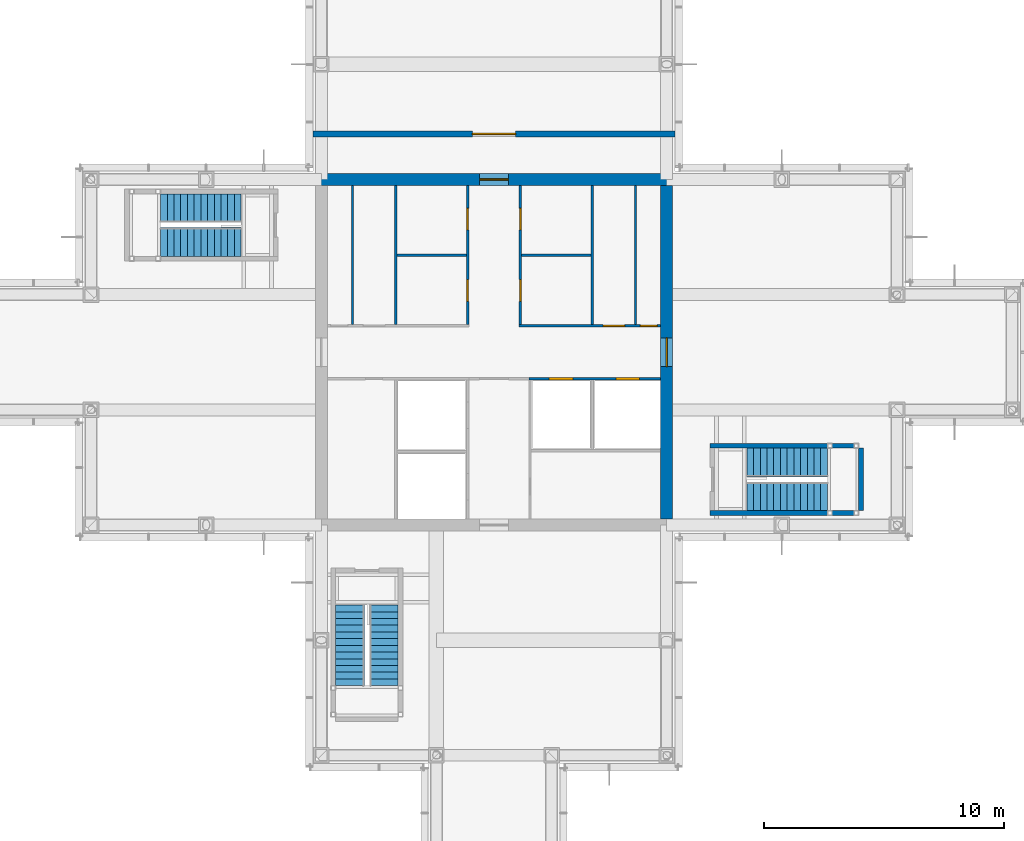
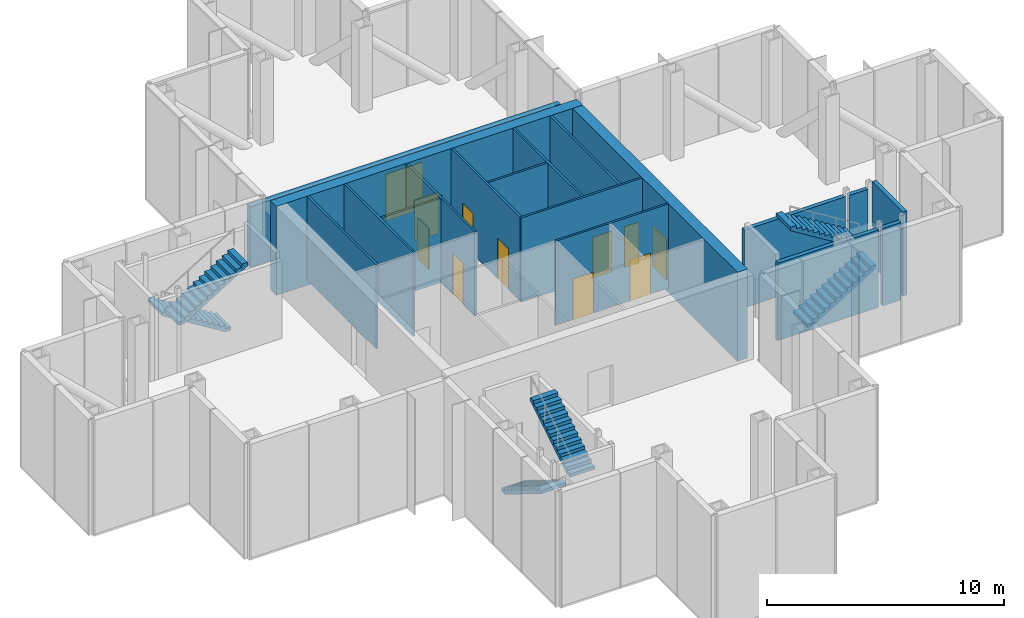
# One storey, part 12 of 13: 18 walls, 11 doors, 6 stair flights, 11 openings, 3 elements without a shape of their own.
"""IFC4 building model written with IfcOpenShell, lengths in metres."""

from ifc_helpers import new_model, si_unit, direction, frame, frame_2d, origin, place, context, subcontext, project, spatial, polyline, rectangle, outline, extrude, material, layer, layer_set, type_object, element, fill, aggregate, save


model = new_model("IFC4")

# Units and contexts
model_context = context("Model", 3, precision=1e-05, world=origin(), true_north=direction((0.0, 1.0)))
body_context = subcontext(model_context, "Body", "Model", "MODEL_VIEW")
ifc_project = project(units=[si_unit("LENGTHUNIT", "METRE"), si_unit("AREAUNIT", "SQUARE_METRE"), si_unit("VOLUMEUNIT", "CUBIC_METRE"), si_unit("PLANEANGLEUNIT", "RADIAN"), si_unit("MASSUNIT", "GRAM", prefix="KILO")], contexts=[model_context])

# Site, building, storey
site_placement = place(None, origin())
site = spatial("IfcSite", under=ifc_project, at=site_placement, CompositionType="ELEMENT")
building_placement = place(site_placement, origin())
building = spatial("IfcBuilding", under=site, at=building_placement, Name="Kvirike Care Tower", CompositionType="ELEMENT")
storey_placement = place(building_placement, frame((0.0, 0.0, 190.0)))
storey = spatial("IfcBuildingStorey", under=building, at=storey_placement, Name="L52", CompositionType="ELEMENT", Elevation=190.0)

# Wall, opening, door
ifc_material_1 = material(Name="Concrete C45/55", Category="concrete")
ifc_layer_1 = layer(ifc_material_1, 0.5)
ifc_layer_set_1 = layer_set([ifc_layer_1], Name="CORE WALL 500 C45-55")
wall_type_1 = type_object("IfcWallType", Name="CORE WALL 500 C45-55", PredefinedType="SHEAR", material=ifc_layer_set_1)
wall_1_placement = place(storey_placement, frame((29.050048828125, 43.199951171875, -0.25), z_axis=(0.0, 0.0, 1.0), x_axis=(-1.0, 0.0, 0.0)))
wall_1 = element("IfcWall", 1, at=wall_1_placement, inside=storey, type_object=wall_type_1, Name="Core wall N L52", PredefinedType="SHEAR", context=body_context, shape_type="SweptSolid", body=[
    extrude(rectangle(XDim=14.900146484375, YDim=0.5, at=frame_2d((7.4501953125, 0.0))), origin(), (0.0, 0.0, 1.0), 4.580078125),
])
opening_1_placement = place(wall_1_placement, frame((6.85009765625, 0.0, 0.25)))
opening_1 = element("IfcOpeningElement", 2, at=opening_1_placement, cuts=wall_1, Name="Opening 52-023", PredefinedType="OPENING", context=body_context, shape_type="SweptSolid", body=[
    extrude(rectangle(XDim=1.199951171875, YDim=2.10009765625, at=frame_2d((0.60009765625, 1.050048828125))), frame((0.0, 0.260498046875, 0.0), z_axis=(0.0, -1.0, 0.0), x_axis=(1.0, 0.0, 0.0)), (0.0, 0.0, 1.0), 0.52099609375),
])
ifc_material_2 = material(Name="Timber door set", Category="wood")
door_type_1 = type_object("IfcDoorType", Name="CORE DOOR 1200", OperationType="SINGLE_SWING_LEFT", PredefinedType="DOOR", material=ifc_material_2)
door_1_placement = place(opening_1_placement, origin())
door_1 = element("IfcDoor", 3, at=door_1_placement, inside=storey, type_object=door_type_1, Name="Core door N L52", OperationType="SINGLE_SWING_LEFT", OverallHeight=2.10009765625, OverallWidth=1.199951171875, PredefinedType="DOOR", context=body_context, shape_type="SweptSolid", body=[
    extrude(rectangle(XDim=1.199951171875, YDim=2.10009765625, at=frame_2d((0.60009765625, 1.050048828125))), frame((0.0, 0.02685546875, 0.0), z_axis=(0.0, -1.0, 0.0), x_axis=(1.0, 0.0, 0.0)), (0.0, 0.0, 1.0), 0.053955078125),
])
fill(opening_1, door_1)

wall_2_placement = place(storey_placement, frame((28.800048828125, 29.050048828125, -0.25), z_axis=(0.0, 0.0, 1.0), x_axis=(0.0, 1.0, 0.0)))
wall_2 = element("IfcWall", 4, at=wall_2_placement, inside=storey, type_object=wall_type_1, Name="Core wall E L52", PredefinedType="SHEAR", context=body_context, shape_type="SweptSolid", body=[
    extrude(rectangle(XDim=13.89990234375, YDim=0.5, at=frame_2d((6.949951171875, 0.0))), origin(), (0.0, 0.0, 1.0), 4.580078125),
])
opening_2_placement = place(wall_2_placement, frame((6.35009765625, 0.0, 0.25)))
opening_2 = element("IfcOpeningElement", 5, at=opening_2_placement, cuts=wall_2, Name="Opening 52-022", PredefinedType="OPENING", context=body_context, shape_type="SweptSolid", body=[
    extrude(rectangle(XDim=1.199951171875, YDim=2.10009765625, at=frame_2d((0.60009765625, 1.050048828125))), frame((0.0, 0.260498046875, 0.0), z_axis=(0.0, -1.0, 0.0), x_axis=(1.0, 0.0, 0.0)), (0.0, 0.0, 1.0), 0.52099609375),
])
door_2_placement = place(opening_2_placement, origin())
door_2 = element("IfcDoor", 6, at=door_2_placement, inside=storey, type_object=door_type_1, Name="Core door E L52", OperationType="SINGLE_SWING_LEFT", OverallHeight=2.10009765625, OverallWidth=1.199951171875, PredefinedType="DOOR", context=body_context, shape_type="SweptSolid", body=[
    extrude(rectangle(XDim=1.199951171875, YDim=2.10009765625, at=frame_2d((0.60009765625, 1.050048828125))), frame((0.0, 0.02685546875, 0.0), z_axis=(0.0, -1.0, 0.0), x_axis=(1.0, 0.0, 0.0)), (0.0, 0.0, 1.0), 0.053955078125),
])
fill(opening_2, door_2)

ifc_material_3 = material(Name="Concrete blockwork", Category="masonry")
ifc_layer_2 = layer(ifc_material_3, 0.25)
ifc_layer_set_2 = layer_set([ifc_layer_2], Name="PLANT ROOM WALL 250")
wall_type_2 = type_object("IfcWallType", Name="PLANT ROOM WALL 250", PredefinedType="SOLIDWALL", material=ifc_layer_set_2)
wall_3_placement = place(storey_placement, frame((29.14990234375, 45.10009765625, 0.0), z_axis=(0.0, 0.0, 1.0), x_axis=(-1.0, 0.0, 0.0)))
wall_3 = element("IfcWall", 7, at=wall_3_placement, inside=storey, type_object=wall_type_2, Name="Plant Room Wall 250 L52", PredefinedType="SOLIDWALL", context=body_context, shape_type="SweptSolid", body=[
    extrude(rectangle(XDim=15.099853515625, YDim=0.25, at=frame_2d((7.5498046875, 0.0))), origin(), (0.0, 0.0, 1.0), 3.1201171875),
])
opening_3_placement = place(wall_3_placement, frame((6.64990234375, 0.0, 0.0)))
opening_3 = element("IfcOpeningElement", 8, at=opening_3_placement, cuts=wall_3, Name="Opening 52-003", PredefinedType="OPENING", context=body_context, shape_type="SweptSolid", body=[
    extrude(rectangle(XDim=1.800048828125, YDim=2.39990234375, at=frame_2d((0.89990234375, 1.199951171875))), frame((0.0, 0.135498046875, 0.0), z_axis=(0.0, -1.0, 0.0), x_axis=(1.0, 0.0, 0.0)), (0.0, 0.0, 1.0), 0.27099609375),
])
ifc_material_4 = material(Name="Timber door set", Category="wood")
door_type_2 = type_object("IfcDoorType", Name="PLANT ROOM DOOR 1800", OperationType="DOUBLE_DOOR_SINGLE_SWING", PredefinedType="DOOR", material=ifc_material_4)
door_3_placement = place(opening_3_placement, frame((1.800048828125, 0.0, 0.0), z_axis=(0.0, 0.0, 1.0), x_axis=(-1.0, 0.0, 0.0)))
door_3 = element("IfcDoor", 9, at=door_3_placement, inside=storey, type_object=door_type_2, Name="Electrical plant room door", OperationType="DOUBLE_DOOR_SINGLE_SWING", OverallHeight=2.39990234375, OverallWidth=1.800048828125, PredefinedType="DOOR", context=body_context, shape_type="SweptSolid", body=[
    extrude(rectangle(XDim=1.800048828125, YDim=2.39990234375, at=frame_2d((0.89990234375, 1.199951171875))), frame((0.0, 0.031982421875, 0.0), z_axis=(0.0, -1.0, 0.0), x_axis=(1.0, 0.0, 0.0)), (0.0, 0.0, 1.0), 0.06396484375),
])
fill(opening_3, door_3)

# Walls
ifc_material_5 = material(Name="Gypsum shaft wall system", Category="gypsum")
ifc_layer_3 = layer(ifc_material_5, 0.10009765625)
ifc_layer_set_3 = layer_set([ifc_layer_3], Name="SHAFT WALL 100")
wall_type_3 = type_object("IfcWallType", Name="SHAFT WALL 100", PredefinedType="SOLIDWALL", material=ifc_layer_set_3)
for number, where, z_axis, x_axis, name in (
    (10, (15.699951171875, 37.14990234375, 0.0), (0.0, 0.0, 1.0), (0.0, 1.0, 0.0), "Shaft Wall 100 L52"),
    (11, (27.5, 37.14990234375, 0.0), (0.0, 0.0, 1.0), (0.0, 1.0, 0.0), "Shaft Wall 100 L52"),
):
    element("IfcWall", number, at=place(storey_placement, frame(where, z_axis=z_axis, x_axis=x_axis)), inside=storey, type_object=wall_type_3, Name=name, PredefinedType="SOLIDWALL", context=body_context, shape_type="SweptSolid", body=[
        extrude(rectangle(XDim=5.800048828125, YDim=0.10009765625, at=frame_2d((2.89990234375, 0.0))), origin(), (0.0, 0.0, 1.0), 4.330078125),
    ])

# Wall, openings, doors
wall_4_placement = place(storey_placement, frame((20.5, 37.14990234375, 0.0), z_axis=(0.0, 0.0, 1.0), x_axis=(0.0, 1.0, 0.0)))
wall_4 = element("IfcWall", 12, at=wall_4_placement, inside=storey, type_object=wall_type_3, Name="Shaft Wall 100 L52", PredefinedType="SOLIDWALL", context=body_context, shape_type="SweptSolid", body=[
    extrude(rectangle(XDim=5.800048828125, YDim=0.10009765625, at=frame_2d((2.89990234375, 0.0))), origin(), (0.0, 0.0, 1.0), 4.330078125),
])
opening_4_placement = place(wall_4_placement, frame((0.97509765625, 0.0, 0.0)))
opening_4 = element("IfcOpeningElement", 13, at=opening_4_placement, cuts=wall_4, Name="Opening 52-007", PredefinedType="OPENING", context=body_context, shape_type="SweptSolid", body=[
    extrude(rectangle(XDim=0.89990234375, YDim=2.10009765625, at=frame_2d((0.449951171875, 1.050048828125))), frame((0.0, 0.060546875, 0.0), z_axis=(0.0, -1.0, 0.0), x_axis=(1.0, 0.0, 0.0)), (0.0, 0.0, 1.0), 0.12109375),
])
opening_5_placement = place(wall_4_placement, frame((3.949951171875, 0.0, 0.0)))
opening_5 = element("IfcOpeningElement", 14, at=opening_5_placement, cuts=wall_4, Name="Opening 52-008", PredefinedType="OPENING", context=body_context, shape_type="SweptSolid", body=[
    extrude(rectangle(XDim=0.89990234375, YDim=2.10009765625, at=frame_2d((0.449951171875, 1.050048828125))), frame((0.0, 0.060546875, 0.0), z_axis=(0.0, -1.0, 0.0), x_axis=(1.0, 0.0, 0.0)), (0.0, 0.0, 1.0), 0.12109375),
])
ifc_material_6 = material(Name="Timber door set", Category="wood")
door_type_3 = type_object("IfcDoorType", Name="STORE DOOR 900", OperationType="SINGLE_SWING_LEFT", PredefinedType="DOOR", material=ifc_material_6)
door_4_placement = place(opening_4_placement, origin())
door_4 = element("IfcDoor", 15, at=door_4_placement, inside=storey, type_object=door_type_3, Name="Staff room door", OperationType="SINGLE_SWING_RIGHT", OverallHeight=2.10009765625, OverallWidth=0.89990234375, PredefinedType="DOOR", context=body_context, shape_type="SweptSolid", body=[
    extrude(rectangle(XDim=0.89990234375, YDim=2.10009765625, at=frame_2d((0.449951171875, 1.050048828125))), frame((0.0, 0.02685546875, 0.0), z_axis=(0.0, -1.0, 0.0), x_axis=(1.0, 0.0, 0.0)), (0.0, 0.0, 1.0), 0.053955078125),
])
fill(opening_4, door_4)
door_5_placement = place(opening_5_placement, origin())
door_5 = element("IfcDoor", 16, at=door_5_placement, inside=storey, type_object=door_type_3, Name="Store door", OperationType="SINGLE_SWING_RIGHT", OverallHeight=2.10009765625, OverallWidth=0.89990234375, PredefinedType="DOOR", context=body_context, shape_type="SweptSolid", body=[
    extrude(rectangle(XDim=0.89990234375, YDim=2.10009765625, at=frame_2d((0.449951171875, 1.050048828125))), frame((0.0, 0.02685546875, 0.0), z_axis=(0.0, -1.0, 0.0), x_axis=(1.0, 0.0, 0.0)), (0.0, 0.0, 1.0), 0.053955078125),
])
fill(opening_5, door_5)

wall_5_placement = place(storey_placement, frame((22.699951171875, 37.14990234375, 0.0), z_axis=(0.0, 0.0, 1.0), x_axis=(0.0, 1.0, 0.0)))
wall_5 = element("IfcWall", 17, at=wall_5_placement, inside=storey, type_object=wall_type_3, Name="Shaft Wall 100 L52", PredefinedType="SOLIDWALL", context=body_context, shape_type="SweptSolid", body=[
    extrude(rectangle(XDim=5.800048828125, YDim=0.10009765625, at=frame_2d((2.89990234375, 0.0))), origin(), (0.0, 0.0, 1.0), 4.330078125),
])
opening_6_placement = place(wall_5_placement, frame((0.97509765625, 0.0, 0.0)))
opening_6 = element("IfcOpeningElement", 18, at=opening_6_placement, cuts=wall_5, Name="Opening 52-009", PredefinedType="OPENING", context=body_context, shape_type="SweptSolid", body=[
    extrude(rectangle(XDim=0.89990234375, YDim=2.10009765625, at=frame_2d((0.449951171875, 1.050048828125))), frame((0.0, 0.060546875, 0.0), z_axis=(0.0, -1.0, 0.0), x_axis=(1.0, 0.0, 0.0)), (0.0, 0.0, 1.0), 0.12109375),
])
opening_7_placement = place(wall_5_placement, frame((3.949951171875, 0.0, 0.0)))
opening_7 = element("IfcOpeningElement", 19, at=opening_7_placement, cuts=wall_5, Name="Opening 52-010", PredefinedType="OPENING", context=body_context, shape_type="SweptSolid", body=[
    extrude(rectangle(XDim=0.89990234375, YDim=2.10009765625, at=frame_2d((0.449951171875, 1.050048828125))), frame((0.0, 0.060546875, 0.0), z_axis=(0.0, -1.0, 0.0), x_axis=(1.0, 0.0, 0.0)), (0.0, 0.0, 1.0), 0.12109375),
])
door_6_placement = place(opening_6_placement, frame((0.89990234375, 0.0, 0.0), z_axis=(0.0, 0.0, 1.0), x_axis=(-1.0, 0.0, 0.0)))
door_6 = element("IfcDoor", 20, at=door_6_placement, inside=storey, type_object=door_type_3, Name="Records store door", OperationType="SINGLE_SWING_RIGHT", OverallHeight=2.10009765625, OverallWidth=0.89990234375, PredefinedType="DOOR", context=body_context, shape_type="SweptSolid", body=[
    extrude(rectangle(XDim=0.89990234375, YDim=2.10009765625, at=frame_2d((0.449951171875, 1.050048828125))), frame((0.0, 0.02685546875, 0.0), z_axis=(0.0, -1.0, 0.0), x_axis=(1.0, 0.0, 0.0)), (0.0, 0.0, 1.0), 0.053955078125),
])
fill(opening_6, door_6)
door_7_placement = place(opening_7_placement, frame((0.89990234375, 0.0, 0.0), z_axis=(0.0, 0.0, 1.0), x_axis=(-1.0, 0.0, 0.0)))
door_7 = element("IfcDoor", 21, at=door_7_placement, inside=storey, type_object=door_type_3, Name="IT room door", OperationType="SINGLE_SWING_RIGHT", OverallHeight=2.10009765625, OverallWidth=0.89990234375, PredefinedType="DOOR", context=body_context, shape_type="SweptSolid", body=[
    extrude(rectangle(XDim=0.89990234375, YDim=2.10009765625, at=frame_2d((0.449951171875, 1.050048828125))), frame((0.0, 0.02685546875, 0.0), z_axis=(0.0, -1.0, 0.0), x_axis=(1.0, 0.0, 0.0)), (0.0, 0.0, 1.0), 0.053955078125),
])
fill(opening_7, door_7)

wall_6_placement = place(storey_placement, frame((23.050048828125, 34.89990234375, 0.0), z_axis=(0.0, 0.0, 1.0), x_axis=(1.0, 0.0, 0.0)))
wall_6 = element("IfcWall", 22, at=wall_6_placement, inside=storey, type_object=wall_type_3, Name="Shaft Wall 100 L52", PredefinedType="SOLIDWALL", context=body_context, shape_type="SweptSolid", body=[
    extrude(rectangle(XDim=5.5, YDim=0.10009765625, at=frame_2d((2.75, 0.0))), origin(), (0.0, 0.0, 1.0), 4.330078125),
])
opening_8_placement = place(wall_6_placement, frame((0.85009765625, 0.0, 0.0)))
opening_8 = element("IfcOpeningElement", 23, at=opening_8_placement, cuts=wall_6, Name="Opening 52-013", PredefinedType="OPENING", context=body_context, shape_type="SweptSolid", body=[
    extrude(rectangle(XDim=1.0, YDim=2.10009765625, at=frame_2d((0.5, 1.050048828125))), frame((0.0, 0.060546875, 0.0), z_axis=(0.0, -1.0, 0.0), x_axis=(1.0, 0.0, 0.0)), (0.0, 0.0, 1.0), 0.12109375),
])
opening_9_placement = place(wall_6_placement, frame((3.625, 0.0, 0.0)))
opening_9 = element("IfcOpeningElement", 24, at=opening_9_placement, cuts=wall_6, Name="Opening 52-014", PredefinedType="OPENING", context=body_context, shape_type="SweptSolid", body=[
    extrude(rectangle(XDim=1.0, YDim=2.10009765625, at=frame_2d((0.5, 1.050048828125))), frame((0.0, 0.060546875, 0.0), z_axis=(0.0, -1.0, 0.0), x_axis=(1.0, 0.0, 0.0)), (0.0, 0.0, 1.0), 0.12109375),
])
ifc_material_7 = material(Name="Aluminium door frame", Category="aluminium")
door_type_4 = type_object("IfcDoorType", Name="LIFT LANDING DOOR 1000", OperationType="SLIDING_TO_LEFT", PredefinedType="DOOR", material=ifc_material_7)
door_8_placement = place(opening_8_placement, origin())
door_8 = element("IfcDoor", 25, at=door_8_placement, inside=storey, type_object=door_type_4, Name="Lift P5 landing door", OperationType="SLIDING_TO_LEFT", OverallHeight=2.10009765625, OverallWidth=1.0, PredefinedType="DOOR", context=body_context, shape_type="SweptSolid", body=[
    extrude(rectangle(XDim=1.0, YDim=2.10009765625, at=frame_2d((0.5, 1.050048828125))), frame((0.0, 0.0498046875, 0.0), z_axis=(0.0, -1.0, 0.0), x_axis=(1.0, 0.0, 0.0)), (0.0, 0.0, 1.0), 0.099609375),
])
fill(opening_8, door_8)
door_9_placement = place(opening_9_placement, origin())
door_9 = element("IfcDoor", 26, at=door_9_placement, inside=storey, type_object=door_type_4, Name="Lift P6 landing door", OperationType="SLIDING_TO_LEFT", OverallHeight=2.10009765625, OverallWidth=1.0, PredefinedType="DOOR", context=body_context, shape_type="SweptSolid", body=[
    extrude(rectangle(XDim=1.0, YDim=2.10009765625, at=frame_2d((0.5, 1.050048828125))), frame((0.0, 0.0498046875, 0.0), z_axis=(0.0, -1.0, 0.0), x_axis=(1.0, 0.0, 0.0)), (0.0, 0.0, 1.0), 0.099609375),
])
fill(opening_9, door_9)

wall_7_placement = place(storey_placement, frame((22.64990234375, 37.10009765625, 0.0), z_axis=(0.0, 0.0, 1.0), x_axis=(1.0, 0.0, 0.0)))
wall_7 = element("IfcWall", 27, at=wall_7_placement, inside=storey, type_object=wall_type_3, Name="Shaft Wall 100 L52", PredefinedType="SOLIDWALL", context=body_context, shape_type="SweptSolid", body=[
    extrude(rectangle(XDim=5.900146484375, YDim=0.10009765625, at=frame_2d((2.9501953125, 0.0))), origin(), (0.0, 0.0, 1.0), 4.330078125),
])
opening_10_placement = place(wall_7_placement, frame((3.5, 0.0, 0.0)))
opening_10 = element("IfcOpeningElement", 28, at=opening_10_placement, cuts=wall_7, Name="Opening 52-017", PredefinedType="OPENING", context=body_context, shape_type="SweptSolid", body=[
    extrude(rectangle(XDim=0.89990234375, YDim=2.10009765625, at=frame_2d((0.449951171875, 1.050048828125))), frame((0.0, 0.060546875, 0.0), z_axis=(0.0, -1.0, 0.0), x_axis=(1.0, 0.0, 0.0)), (0.0, 0.0, 1.0), 0.12109375),
])
opening_11_placement = place(wall_7_placement, frame((5.050048828125, 0.0, 0.0)))
opening_11 = element("IfcOpeningElement", 29, at=opening_11_placement, cuts=wall_7, Name="Opening 52-018", PredefinedType="OPENING", context=body_context, shape_type="SweptSolid", body=[
    extrude(rectangle(XDim=0.699951171875, YDim=2.10009765625, at=frame_2d((0.35009765625, 1.050048828125))), frame((0.0, 0.060546875, 0.0), z_axis=(0.0, -1.0, 0.0), x_axis=(1.0, 0.0, 0.0)), (0.0, 0.0, 1.0), 0.12109375),
])
ifc_material_8 = material(Name="Timber door set", Category="wood")
door_type_5 = type_object("IfcDoorType", Name="RISER DOOR 700", OperationType="SINGLE_SWING_LEFT", PredefinedType="DOOR", material=ifc_material_8)
door_10_placement = place(opening_11_placement, origin())
door_10 = element("IfcDoor", 30, at=door_10_placement, inside=storey, type_object=door_type_5, Name="Riser door", OperationType="SINGLE_SWING_RIGHT", OverallHeight=2.10009765625, OverallWidth=0.699951171875, PredefinedType="DOOR", context=body_context, shape_type="SweptSolid", body=[
    extrude(rectangle(XDim=0.699951171875, YDim=2.10009765625, at=frame_2d((0.35009765625, 1.050048828125))), frame((0.0, 0.02685546875, 0.0), z_axis=(0.0, -1.0, 0.0), x_axis=(1.0, 0.0, 0.0)), (0.0, 0.0, 1.0), 0.053955078125),
])
fill(opening_11, door_10)
door_11_placement = place(opening_10_placement, origin())
door_11 = element("IfcDoor", 31, at=door_11_placement, inside=storey, type_object=door_type_3, Name="IT room door", OperationType="SINGLE_SWING_LEFT", OverallHeight=2.10009765625, OverallWidth=0.89990234375, PredefinedType="DOOR", context=body_context, shape_type="SweptSolid", body=[
    extrude(rectangle(XDim=0.89990234375, YDim=2.10009765625, at=frame_2d((0.449951171875, 1.050048828125))), frame((0.0, 0.02685546875, 0.0), z_axis=(0.0, -1.0, 0.0), x_axis=(1.0, 0.0, 0.0)), (0.0, 0.0, 1.0), 0.053955078125),
])
fill(opening_10, door_11)

# Walls
wall_8_placement = place(storey_placement, frame((17.5, 37.14990234375, 0.0), z_axis=(0.0, 0.0, 1.0), x_axis=(0.0, 1.0, 0.0)))
element("IfcWall", 32, at=wall_8_placement, inside=storey, type_object=wall_type_3, Name="Shaft Wall 100 L52", PredefinedType="SOLIDWALL", context=body_context, shape_type="SweptSolid", body=[
    extrude(rectangle(XDim=5.800048828125, YDim=0.10009765625, at=frame_2d((2.89990234375, 0.0))), origin(), (0.0, 0.0, 1.0), 4.330078125),
])
for number, where, z_axis, x_axis, name in (
    (33, (17.550048828125, 40.050048828125, 0.0), (0.0, 0.0, 1.0), (1.0, 0.0, 0.0), "Shaft Wall 100 L52"),
    (34, (22.75, 40.050048828125, 0.0), (0.0, 0.0, 1.0), (1.0, 0.0, 0.0), "Shaft Wall 100 L52"),
):
    element("IfcWall", number, at=place(storey_placement, frame(where, z_axis=z_axis, x_axis=x_axis)), inside=storey, type_object=wall_type_3, Name=name, PredefinedType="SOLIDWALL", context=body_context, shape_type="SweptSolid", body=[
        extrude(rectangle(XDim=2.89990234375, YDim=0.10009765625, at=frame_2d((1.449951171875, 0.0))), origin(), (0.0, 0.0, 1.0), 4.330078125),
    ])
wall_9_placement = place(storey_placement, frame((25.699951171875, 37.14990234375, 0.0), z_axis=(0.0, 0.0, 1.0), x_axis=(0.0, 1.0, 0.0)))
element("IfcWall", 35, at=wall_9_placement, inside=storey, type_object=wall_type_3, Name="Shaft Wall 100 L52", PredefinedType="SOLIDWALL", context=body_context, shape_type="SweptSolid", body=[
    extrude(rectangle(XDim=5.800048828125, YDim=0.10009765625, at=frame_2d((2.89990234375, 0.0))), origin(), (0.0, 0.0, 1.0), 4.330078125),
])
ifc_material_9 = material(Name="Concrete C40/50", Category="concrete")
ifc_layer_4 = layer(ifc_material_9, 0.199951171875)
ifc_layer_set_4 = layer_set([ifc_layer_4], Name="STAIR WALL 200")
wall_type_4 = type_object("IfcWallType", Name="STAIR WALL 200", PredefinedType="SOLIDWALL", material=ifc_layer_set_4)
wall_10_placement = place(storey_placement, frame((36.60009765625, 29.300048828125, 0.0), z_axis=(0.0, 0.0, 1.0), x_axis=(-1.0, 0.0, 0.0)))
element("IfcWall", 36, at=wall_10_placement, inside=storey, type_object=wall_type_4, Name="Stair Wall 200 L52", PredefinedType="SOLIDWALL", context=body_context, shape_type="SweptSolid", body=[
    extrude(rectangle(XDim=0.900146484375, YDim=0.199951171875, at=frame_2d((0.4501953125, 0.0))), origin(), (0.0, 0.0, 1.0), 3.989990234375),
])
wall_11_placement = place(storey_placement, frame((35.5, 29.300048828125, 0.0), z_axis=(0.0, 0.0, 1.0), x_axis=(-1.0, 0.0, 0.0)))
element("IfcWall", 37, at=wall_11_placement, inside=storey, type_object=wall_type_4, Name="Stair Wall 200 L52", PredefinedType="SOLIDWALL", context=body_context, shape_type="SweptSolid", body=[
    extrude(rectangle(XDim=4.89990234375, YDim=0.199951171875, at=frame_2d((2.449951171875, 0.0))), origin(), (0.0, 0.0, 1.0), 3.989990234375),
])
wall_12_placement = place(storey_placement, frame((36.60009765625, 32.10009765625, 0.0), z_axis=(0.0, 0.0, 1.0), x_axis=(-1.0, 0.0, 0.0)))
element("IfcWall", 38, at=wall_12_placement, inside=storey, type_object=wall_type_4, Name="Stair Wall 200 L52", PredefinedType="SOLIDWALL", context=body_context, shape_type="SweptSolid", body=[
    extrude(rectangle(XDim=0.900146484375, YDim=0.199951171875, at=frame_2d((0.4501953125, 0.0))), origin(), (0.0, 0.0, 1.0), 3.989990234375),
])
wall_13_placement = place(storey_placement, frame((35.5, 32.10009765625, 0.0), z_axis=(0.0, 0.0, 1.0), x_axis=(-1.0, 0.0, 0.0)))
element("IfcWall", 39, at=wall_13_placement, inside=storey, type_object=wall_type_4, Name="Stair Wall 200 L52", PredefinedType="SOLIDWALL", context=body_context, shape_type="SweptSolid", body=[
    extrude(rectangle(XDim=4.89990234375, YDim=0.199951171875, at=frame_2d((2.449951171875, 0.0))), origin(), (0.0, 0.0, 1.0), 3.989990234375),
])
wall_14_placement = place(storey_placement, frame((36.89990234375, 29.39990234375, 0.0), z_axis=(0.0, 0.0, 1.0), x_axis=(0.0, 1.0, 0.0)))
element("IfcWall", 40, at=wall_14_placement, inside=storey, type_object=wall_type_4, Name="Stair Wall 200 L52", PredefinedType="SOLIDWALL", context=body_context, shape_type="SweptSolid", body=[
    extrude(rectangle(XDim=2.60009765625, YDim=0.199951171875, at=frame_2d((1.300048828125, 0.0))), origin(), (0.0, 0.0, 1.0), 4.330078125),
])

# Stair, stair flights
ifc_material_10 = material(Name="Concrete C35/45", Category="concrete")
stair_type = type_object("IfcStairType", Name="STAIR 26 RISERS", PredefinedType="HALF_TURN_STAIR", material=ifc_material_10)
stair_1_placement = place(storey_placement, origin())
stair_1 = element("IfcStair", 41, at=stair_1_placement, inside=storey, type_object=stair_type, Name="Stair 1 L52", PredefinedType="HALF_TURN_STAIR")
ifc_material_11 = material(Name="Concrete C35/45", Category="concrete")
stair_flight_type = type_object("IfcStairFlightType", Name="FLIGHT 13 RISERS", PredefinedType="STRAIGHT", material=ifc_material_11)
stair_flight_1_placement = place(storey_placement, frame((11.06005859375, 42.0, 0.0), z_axis=(0.0, 0.0, 1.0), x_axis=(-1.0, 0.0, 0.0)))
stair_flight_1 = element("IfcStairFlight", 42, at=stair_flight_1_placement, type_object=stair_flight_type, Name="Stair S1 flight 1 L52-L53", NumberOfRisers=13, NumberOfTreads=12, PredefinedType="STRAIGHT", RiserHeight=0.173076923, TreadLength=0.28, context=body_context, shape_type="SweptSolid", body=[
    extrude(outline(polyline([(0.0, 0.0), (0.0, 0.173095703125), (0.280029296875, 0.173095703125), (0.280029296875, 0.34619140625), (0.56005859375, 0.34619140625), (0.56005859375, 0.519287109375), (0.840087890625, 0.519287109375), (0.840087890625, 0.6923828125), (1.1201171875, 0.6923828125), (1.1201171875, 0.865478515625), (1.39990234375, 0.865478515625), (1.39990234375, 1.03857421875), (1.679931640625, 1.03857421875), (1.679931640625, 1.21142578125), (1.9599609375, 1.21142578125), (1.9599609375, 1.384521484375), (2.239990234375, 1.384521484375), (2.239990234375, 1.5576171875), (2.52001953125, 1.5576171875), (2.52001953125, 1.730712890625), (2.800048828125, 1.730712890625), (2.800048828125, 1.90380859375), (3.080078125, 1.90380859375), (3.080078125, 2.076904296875), (3.360107421875, 2.076904296875), (3.360107421875, 2.25), (3.360107421875, 1.900634765625), (0.28515625, 0.0), (0.0, 0.0)])), frame((0.0, 0.60009765625, 0.0), z_axis=(0.0, -1.0, 0.0), x_axis=(1.0, 0.0, 0.0)), (0.0, 0.0, 1.0), 1.199951171875),
])
stair_flight_2_placement = place(storey_placement, frame((7.699951171875, 40.60009765625, 2.25), z_axis=(0.0, 0.0, 1.0), x_axis=(1.0, 0.0, 0.0)))
stair_flight_2 = element("IfcStairFlight", 43, at=stair_flight_2_placement, type_object=stair_flight_type, Name="Stair S1 flight 2 L52-L53", NumberOfRisers=13, NumberOfTreads=12, PredefinedType="STRAIGHT", RiserHeight=0.173076923, TreadLength=0.28, context=body_context, shape_type="SweptSolid", body=[
    extrude(outline(polyline([(0.0, 0.0), (0.0, 0.173095703125), (0.280029296875, 0.173095703125), (0.280029296875, 0.34619140625), (0.56005859375, 0.34619140625), (0.56005859375, 0.519287109375), (0.840087890625, 0.519287109375), (0.840087890625, 0.6923828125), (1.1201171875, 0.6923828125), (1.1201171875, 0.865478515625), (1.39990234375, 0.865478515625), (1.39990234375, 1.03857421875), (1.679931640625, 1.03857421875), (1.679931640625, 1.21142578125), (1.9599609375, 1.21142578125), (1.9599609375, 1.384521484375), (2.239990234375, 1.384521484375), (2.239990234375, 1.5576171875), (2.52001953125, 1.5576171875), (2.52001953125, 1.730712890625), (2.800048828125, 1.730712890625), (2.800048828125, 1.90380859375), (3.080078125, 1.90380859375), (3.080078125, 2.076904296875), (3.360107421875, 2.076904296875), (3.360107421875, 2.25), (3.360107421875, 1.900634765625), (0.28515625, 0.0), (0.0, 0.0)])), frame((0.0, 0.60009765625, 0.0), z_axis=(0.0, -1.0, 0.0), x_axis=(1.0, 0.0, 0.0)), (0.0, 0.0, 1.0), 1.199951171875),
])
aggregate(stair_1, [stair_flight_1, stair_flight_2])

stair_2_placement = place(storey_placement, origin())
stair_2 = element("IfcStair", 44, at=stair_2_placement, inside=storey, type_object=stair_type, Name="Stair 2 L52", PredefinedType="HALF_TURN_STAIR")
stair_flight_3_placement = place(storey_placement, frame((32.139892578125, 30.0, 0.0), z_axis=(0.0, 0.0, 1.0), x_axis=(1.0, 0.0, 0.0)))
stair_flight_3 = element("IfcStairFlight", 45, at=stair_flight_3_placement, type_object=stair_flight_type, Name="Stair S2 flight 1 L52-L53", NumberOfRisers=13, NumberOfTreads=12, PredefinedType="STRAIGHT", RiserHeight=0.173076923, TreadLength=0.28, context=body_context, shape_type="SweptSolid", body=[
    extrude(outline(polyline([(0.0, 0.0), (0.0, 0.173095703125), (0.280029296875, 0.173095703125), (0.280029296875, 0.34619140625), (0.56005859375, 0.34619140625), (0.56005859375, 0.519287109375), (0.840087890625, 0.519287109375), (0.840087890625, 0.6923828125), (1.1201171875, 0.6923828125), (1.1201171875, 0.865478515625), (1.39990234375, 0.865478515625), (1.39990234375, 1.03857421875), (1.679931640625, 1.03857421875), (1.679931640625, 1.21142578125), (1.9599609375, 1.21142578125), (1.9599609375, 1.384521484375), (2.239990234375, 1.384521484375), (2.239990234375, 1.5576171875), (2.52001953125, 1.5576171875), (2.52001953125, 1.730712890625), (2.800048828125, 1.730712890625), (2.800048828125, 1.90380859375), (3.080078125, 1.90380859375), (3.080078125, 2.076904296875), (3.360107421875, 2.076904296875), (3.360107421875, 2.25), (3.360107421875, 1.900634765625), (0.28515625, 0.0), (0.0, 0.0)])), frame((0.0, 0.60009765625, 0.0), z_axis=(0.0, -1.0, 0.0), x_axis=(1.0, 0.0, 0.0)), (0.0, 0.0, 1.0), 1.199951171875),
])
stair_flight_4_placement = place(storey_placement, frame((35.5, 31.39990234375, 2.25), z_axis=(0.0, 0.0, 1.0), x_axis=(-1.0, 0.0, 0.0)))
stair_flight_4 = element("IfcStairFlight", 46, at=stair_flight_4_placement, type_object=stair_flight_type, Name="Stair S2 flight 2 L52-L53", NumberOfRisers=13, NumberOfTreads=12, PredefinedType="STRAIGHT", RiserHeight=0.173076923, TreadLength=0.28, context=body_context, shape_type="SweptSolid", body=[
    extrude(outline(polyline([(0.0, 0.0), (0.0, 0.173095703125), (0.280029296875, 0.173095703125), (0.280029296875, 0.34619140625), (0.56005859375, 0.34619140625), (0.56005859375, 0.519287109375), (0.840087890625, 0.519287109375), (0.840087890625, 0.6923828125), (1.1201171875, 0.6923828125), (1.1201171875, 0.865478515625), (1.39990234375, 0.865478515625), (1.39990234375, 1.03857421875), (1.679931640625, 1.03857421875), (1.679931640625, 1.21142578125), (1.9599609375, 1.21142578125), (1.9599609375, 1.384521484375), (2.239990234375, 1.384521484375), (2.239990234375, 1.5576171875), (2.52001953125, 1.5576171875), (2.52001953125, 1.730712890625), (2.800048828125, 1.730712890625), (2.800048828125, 1.90380859375), (3.080078125, 1.90380859375), (3.080078125, 2.076904296875), (3.360107421875, 2.076904296875), (3.360107421875, 2.25), (3.360107421875, 1.900634765625), (0.28515625, 0.0), (0.0, 0.0)])), frame((0.0, 0.60009765625, 0.0), z_axis=(0.0, -1.0, 0.0), x_axis=(1.0, 0.0, 0.0)), (0.0, 0.0, 1.0), 1.199951171875),
])
aggregate(stair_2, [stair_flight_3, stair_flight_4])

stair_3_placement = place(storey_placement, origin())
stair_3 = element("IfcStair", 47, at=stair_3_placement, inside=storey, type_object=stair_type, Name="Stair 5 L52", PredefinedType="HALF_TURN_STAIR")
stair_flight_5_placement = place(storey_placement, frame((15.60009765625, 25.4599609375, 0.0), z_axis=(0.0, 0.0, 1.0), x_axis=(0.0, -1.0, 0.0)))
stair_flight_5 = element("IfcStairFlight", 48, at=stair_flight_5_placement, type_object=stair_flight_type, Name="Stair S5 flight 1 L52-L53", NumberOfRisers=13, NumberOfTreads=12, PredefinedType="STRAIGHT", RiserHeight=0.173076923, TreadLength=0.28, context=body_context, shape_type="SweptSolid", body=[
    extrude(outline(polyline([(0.0, 0.0), (0.0, 0.173095703125), (0.280029296875, 0.173095703125), (0.280029296875, 0.34619140625), (0.56005859375, 0.34619140625), (0.56005859375, 0.519287109375), (0.840087890625, 0.519287109375), (0.840087890625, 0.6923828125), (1.1201171875, 0.6923828125), (1.1201171875, 0.865478515625), (1.39990234375, 0.865478515625), (1.39990234375, 1.03857421875), (1.679931640625, 1.03857421875), (1.679931640625, 1.21142578125), (1.9599609375, 1.21142578125), (1.9599609375, 1.384521484375), (2.239990234375, 1.384521484375), (2.239990234375, 1.5576171875), (2.52001953125, 1.5576171875), (2.52001953125, 1.730712890625), (2.800048828125, 1.730712890625), (2.800048828125, 1.90380859375), (3.080078125, 1.90380859375), (3.080078125, 2.076904296875), (3.360107421875, 2.076904296875), (3.360107421875, 2.25), (3.360107421875, 1.900634765625), (0.28515625, 0.0), (0.0, 0.0)])), frame((0.0, 0.60009765625, 0.0), z_axis=(0.0, -1.0, 0.0), x_axis=(1.0, 0.0, 0.0)), (0.0, 0.0, 1.0), 1.199951171875),
])
stair_flight_6_placement = place(storey_placement, frame((17.0, 22.10009765625, 2.25), z_axis=(0.0, 0.0, 1.0), x_axis=(0.0, 1.0, 0.0)))
stair_flight_6 = element("IfcStairFlight", 49, at=stair_flight_6_placement, type_object=stair_flight_type, Name="Stair S5 flight 2 L52-L53", NumberOfRisers=13, NumberOfTreads=12, PredefinedType="STRAIGHT", RiserHeight=0.173076923, TreadLength=0.28, context=body_context, shape_type="SweptSolid", body=[
    extrude(outline(polyline([(0.0, 0.0), (0.0, 0.173095703125), (0.280029296875, 0.173095703125), (0.280029296875, 0.34619140625), (0.56005859375, 0.34619140625), (0.56005859375, 0.519287109375), (0.840087890625, 0.519287109375), (0.840087890625, 0.6923828125), (1.1201171875, 0.6923828125), (1.1201171875, 0.865478515625), (1.39990234375, 0.865478515625), (1.39990234375, 1.03857421875), (1.679931640625, 1.03857421875), (1.679931640625, 1.21142578125), (1.9599609375, 1.21142578125), (1.9599609375, 1.384521484375), (2.239990234375, 1.384521484375), (2.239990234375, 1.5576171875), (2.52001953125, 1.5576171875), (2.52001953125, 1.730712890625), (2.800048828125, 1.730712890625), (2.800048828125, 1.90380859375), (3.080078125, 1.90380859375), (3.080078125, 2.076904296875), (3.360107421875, 2.076904296875), (3.360107421875, 2.25), (3.360107421875, 1.900634765625), (0.28515625, 0.0), (0.0, 0.0)])), frame((0.0, 0.60009765625, 0.0), z_axis=(0.0, -1.0, 0.0), x_axis=(1.0, 0.0, 0.0)), (0.0, 0.0, 1.0), 1.199951171875),
])
aggregate(stair_3, [stair_flight_5, stair_flight_6])

save(model, "model.ifc")
